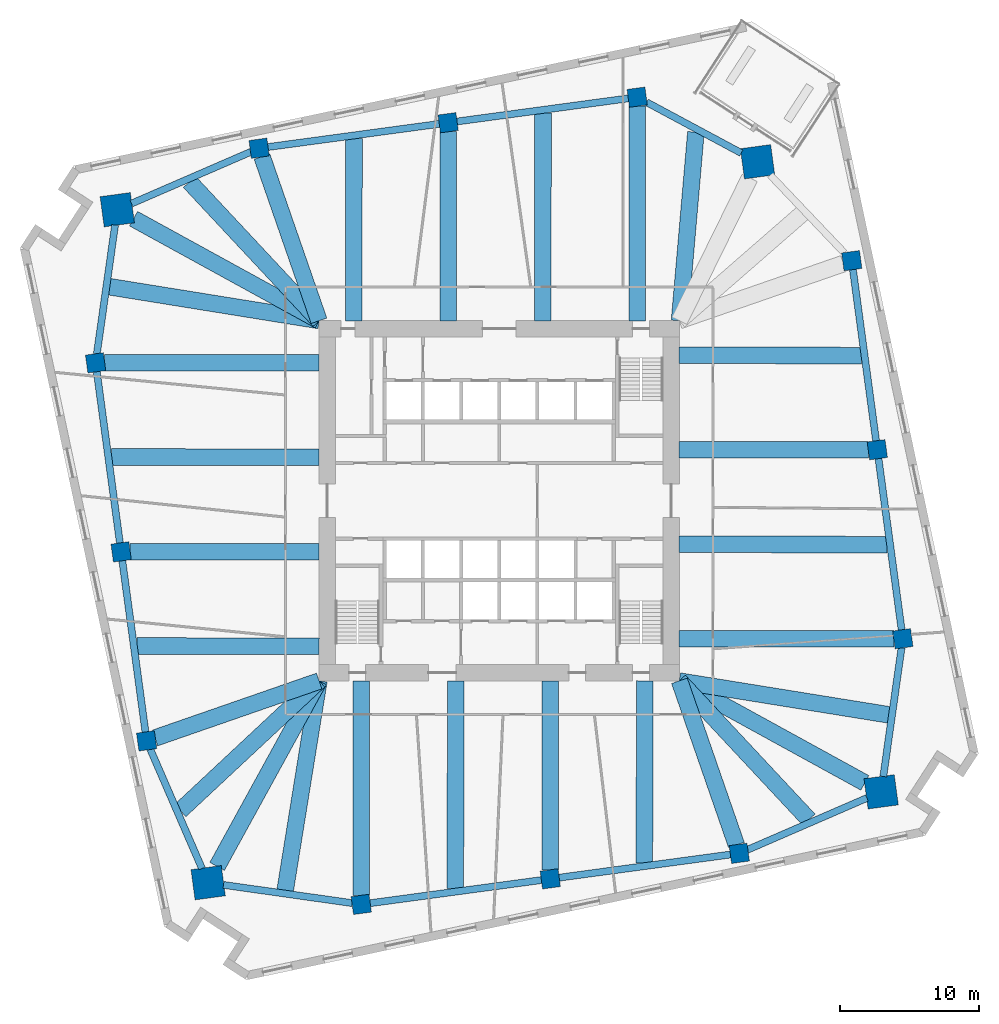
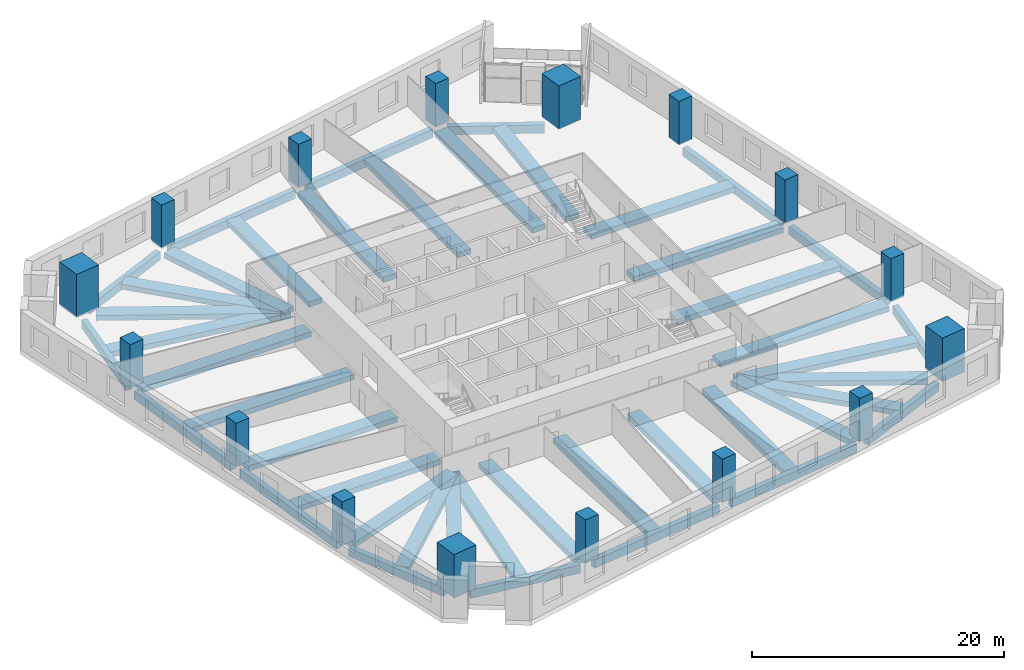
# One storey, part 1 of 10: 44 beams, 16 columns.
"""IFC4 building model written with IfcOpenShell, lengths in metres."""

import ifcopenshell
import ifcopenshell.guid

model = None  # the IFC model being written
_history = None  # IfcOwnerHistory: only IFC2X3 demands one
_inside = {}  # id of a spatial element -> (the spatial element, [elements in it])
_under = {}  # id of a project, library or spatial element -> (it, [spatial elements below it])
_declared = {}  # id of a project -> (the project, [libraries it declares])
_typed = {}  # id of a type object -> (the type object, [elements of that type])
_made_of = {}  # id of a material, layer set ... -> (it, [elements and type objects made of it])


def new_model(schema):
    """Start an empty IFC model of exactly this schema.

    Asked for "IFC4X3", IfcOpenShell would pick the latest addendum, in which some entities
    have other attributes; the version numbers below select the first issue.
    IFC2X3 requires an IfcOwnerHistory on every rooted entity: one is made here for all.
    """
    global model, _history
    if schema == "IFC4X3":
        model = ifcopenshell.file(schema_version=(4, 3, 0, 0))
    else:
        model = ifcopenshell.file(schema=schema)
    _inside.clear()
    _under.clear()
    _declared.clear()
    _typed.clear()
    _made_of.clear()
    _history = None
    if model.schema == "IFC2X3":
        org = make("IfcOrganization", Name="unknown")
        user = make(
            "IfcPersonAndOrganization",
            ThePerson=make("IfcPerson", FamilyName="unknown"),
            TheOrganization=org,
        )
        app = make(
            "IfcApplication",
            ApplicationDeveloper=org,
            Version="unknown",
            ApplicationFullName="unknown",
            ApplicationIdentifier="unknown",
        )
        _history = make(
            "IfcOwnerHistory",
            OwningUser=user,
            OwningApplication=app,
            ChangeAction="ADDED",
            CreationDate=0,
        )
    return model


def make(cls, **values):
    """One entity of the class cls with the attributes given. An attribute that is None is left unset."""
    return model.create_entity(
        cls, **{name: value for name, value in values.items() if value is not None}
    )


def rooted(cls, **values):
    """An entity with a GlobalId (a new one), such as an element, a storey or a relation."""
    return make(cls, GlobalId=ifcopenshell.guid.new(), OwnerHistory=_history, **values)


def si_unit(unit_type, name, prefix=None):
    """IfcSIUnit, for example si_unit("LENGTHUNIT", "METRE", prefix="MILLI")."""
    return make("IfcSIUnit", UnitType=unit_type, Prefix=prefix, Name=name)


def assignment(units):
    """IfcUnitAssignment: the units of a project."""
    return None if units is None else make("IfcUnitAssignment", Units=units)


def point(xyz):
    """IfcCartesianPoint."""
    return None if xyz is None else make("IfcCartesianPoint", Coordinates=xyz)


def direction(xyz):
    """IfcDirection."""
    return None if xyz is None else make("IfcDirection", DirectionRatios=xyz)


def frame(location, z_axis=None, x_axis=None):
    """IfcAxis2Placement3D, a coordinate frame: its origin and axes. An axis left out is left unset."""
    return make(
        "IfcAxis2Placement3D",
        Location=point(location),
        Axis=direction(z_axis),
        RefDirection=direction(x_axis),
    )


def frame_2d(location, x_axis=None):
    """IfcAxis2Placement2D, a coordinate frame in the plane: its origin and x axis."""
    return make(
        "IfcAxis2Placement2D", Location=point(location), RefDirection=direction(x_axis)
    )


def origin():
    """The frame at (0, 0, 0) with its axes left unset."""
    return frame((0.0, 0.0, 0.0))


def origin_2d():
    """The frame at (0, 0) in the plane with its x axis left unset."""
    return frame_2d((0.0, 0.0))


def place(relative_to, where):
    """IfcLocalPlacement: puts the frame where relative to a parent placement (None: the world)."""
    return make(
        "IfcLocalPlacement", PlacementRelTo=relative_to, RelativePlacement=where
    )


def context(
    kind, dimensions, precision=None, world=None, true_north=None, identifier=None
):
    """IfcGeometricRepresentationContext, for example the 3D "Model" context."""
    return make(
        "IfcGeometricRepresentationContext",
        ContextIdentifier=identifier,
        ContextType=kind,
        CoordinateSpaceDimension=dimensions,
        Precision=precision,
        WorldCoordinateSystem=world,
        TrueNorth=true_north,
    )


def subcontext(parent, identifier, kind, view, scale=None):
    """IfcGeometricRepresentationSubContext, for example "Body" below "Model"."""
    return make(
        "IfcGeometricRepresentationSubContext",
        ContextIdentifier=identifier,
        ContextType=kind,
        ParentContext=parent,
        TargetScale=scale,
        TargetView=view,
    )


def project(units=None, contexts=None):
    """IfcProject with its units and contexts."""
    return rooted(
        "IfcProject",
        Name="project",
        RepresentationContexts=contexts,
        UnitsInContext=assignment(units),
    )


def spatial(cls, under=None, at=None, **own):
    """A site, building, storey or space (cls), placed at a placement, below another one or the project."""
    s = rooted(cls, ObjectPlacement=at, **own)
    if under is not None:
        _under.setdefault(under.id(), (under, []))[1].append(s)
    return s


def profile(cls, at=None, kind="AREA", **sizes):
    """A parametric profile (cls). Its sizes go by their IFC names, for example OverallWidth=200.0."""
    return make(cls, ProfileType=kind, Position=at, **sizes)


def rectangle(**sizes):
    """IfcRectangleProfileDef."""
    return profile("IfcRectangleProfileDef", **sizes)


def extrude(swept, where, along, depth):
    """IfcExtrudedAreaSolid: the profile swept, set in the frame where, extruded along a direction by depth."""
    return make(
        "IfcExtrudedAreaSolid",
        SweptArea=swept,
        Position=where,
        ExtrudedDirection=direction(along),
        Depth=depth,
    )


def shape(context_of_items, identifier, shape_type, items):
    """IfcShapeRepresentation: the items that make up one representation, for example the "Body"."""
    return make(
        "IfcShapeRepresentation",
        ContextOfItems=context_of_items,
        RepresentationIdentifier=identifier,
        RepresentationType=shape_type,
        Items=items,
    )


def material(Name=None, Category=None):
    """IfcMaterial."""
    return make("IfcMaterial", Name=Name, Category=Category)


def material_profile(
    of_material, cross_section, Name=None, Category=None, Priority=None
):
    """IfcMaterialProfile: a cross section and its material."""
    return make(
        "IfcMaterialProfile",
        Name=Name,
        Material=of_material,
        Profile=cross_section,
        Priority=Priority,
        Category=Category,
    )


def profile_set(profiles, Name=None, composite=None):
    """IfcMaterialProfileSet."""
    return make(
        "IfcMaterialProfileSet",
        Name=Name,
        MaterialProfiles=profiles,
        CompositeProfile=composite,
    )


def made_of(thing, what):
    """Note that an element or type object is made of a material, layer set ...; save() writes the relation."""
    if what is not None:
        _made_of.setdefault(what.id(), (what, []))[1].append(thing)
    return thing


def type_object(cls, material=None, **own):
    """A type object (cls), such as IfcWallType, which elements share."""
    return made_of(rooted(cls, **own), material)


def element(
    cls,
    number,
    at=None,
    inside=None,
    cuts=None,
    type_object=None,
    material=None,
    context=None,
    identifier="Body",
    shape_type=None,
    held_by="IfcProductDefinitionShape",
    body=None,
    shapes=None,
    **own,
):
    """One element of the class cls, such as IfcWall. Its Tag is "e" and its number.

    at: its placement. inside: the storey or other place that contains it. cuts: it is an
    opening in that element (IfcRelVoidsElement). A single representation is given by context,
    identifier, shape_type and body (its items); several are given by shapes. held_by: the class
    of the entity that holds the representations. save() writes the other relations.
    """
    e = rooted(cls, Tag="e%d" % number, ObjectPlacement=at, **own)
    if body is not None:
        shapes = [shape(context, identifier, shape_type, body)]
    if shapes is not None:
        e.Representation = make(held_by, Representations=shapes)
    if inside is not None:
        _inside.setdefault(inside.id(), (inside, []))[1].append(e)
    if cuts is not None:
        rooted(
            "IfcRelVoidsElement", RelatingBuildingElement=cuts, RelatedOpeningElement=e
        )
    if type_object is not None:
        _typed.setdefault(type_object.id(), (type_object, []))[1].append(e)
    return made_of(e, material)


def aggregate(whole, parts):
    """IfcRelAggregates: a whole, such as a stair, and the parts it consists of."""
    return rooted("IfcRelAggregates", RelatingObject=whole, RelatedObjects=parts)


def save(model, path):
    """Write the relations noted so far, then the file.

    IfcRelAggregates (storeys below a building ...), IfcRelContainedInSpatialStructure (elements
    in a storey), IfcRelDefinesByType, IfcRelAssociatesMaterial and IfcRelDeclares: one each for
    every whole, place, type object, material and project.
    """
    for whole, parts in _under.values():
        aggregate(whole, parts)
    for where, things in _inside.values():
        rooted(
            "IfcRelContainedInSpatialStructure",
            RelatedElements=things,
            RelatingStructure=where,
        )
    for kind, things in _typed.values():
        rooted("IfcRelDefinesByType", RelatedObjects=things, RelatingType=kind)
    for what, things in _made_of.values():
        rooted("IfcRelAssociatesMaterial", RelatedObjects=things, RelatingMaterial=what)
    for by, libraries in _declared.values():
        rooted("IfcRelDeclares", RelatingContext=by, RelatedDefinitions=libraries)
    model.write(path)


model = new_model("IFC4")

# Units and contexts
model_context = context("Model", 3, precision=1e-05, world=origin(), true_north=direction((0.0, 1.0)))
body_context = subcontext(model_context, "Body", "Model", "MODEL_VIEW")
ifc_project = project(units=[si_unit("LENGTHUNIT", "METRE"), si_unit("AREAUNIT", "SQUARE_METRE"), si_unit("VOLUMEUNIT", "CUBIC_METRE"), si_unit("PLANEANGLEUNIT", "RADIAN"), si_unit("MASSUNIT", "GRAM", prefix="KILO")], contexts=[model_context])

# Site, building, storey
site_placement = place(None, origin())
site = spatial("IfcSite", under=ifc_project, at=site_placement, CompositionType="ELEMENT")
building_placement = place(site_placement, origin())
building = spatial("IfcBuilding", under=site, at=building_placement, Name="Dilmun Exchange Tower", CompositionType="ELEMENT")
storey_placement = place(building_placement, frame((0.0, 0.0, 72.300048828125)))
storey = spatial("IfcBuildingStorey", under=building, at=storey_placement, Name="L16", CompositionType="ELEMENT", Elevation=72.300048828125)

# Columns
ifc_material_1 = material(Name="Concrete C80/95", Category="concrete")
ifc_material_profile_1 = material_profile(ifc_material_1, rectangle(XDim=2.199951171875, YDim=2.199951171875, at=origin_2d()), Name="2200 x 2200")
ifc_profile_set_1 = profile_set([ifc_material_profile_1], Name="Concrete C80/95")
column_type_1 = type_object("IfcColumnType", Name="RC mega column 2200 x 2200 C80/95", PredefinedType="COLUMN", material=ifc_profile_set_1)
for number, where, z_axis, x_axis, name in (
    (1, (18.6220703125, 24.43701171875, 0.0), (0.0, 0.0, 1.0), (0.991001197216, 0.133853005627, 0.0), "Mega column M1"),
    (2, (-27.531005859375, 20.97900390625, 0.0), (0.0, 0.0, 1.0), (0.991001197216, 0.133853005627, 0.0), "Mega column M2"),
    (3, (-20.97900390625, -27.531005859375, 0.0), (0.0, 0.0, 1.0), (0.991001197216, 0.133853005627, 0.0), "Mega column M3"),
    (4, (27.531005859375, -20.97900390625, 0.0), (0.0, 0.0, 1.0), (0.991001197216, 0.133853005627, 0.0), "Mega column M4"),
):
    element("IfcColumn", number, at=place(storey_placement, frame(where, z_axis=z_axis, x_axis=x_axis)), inside=storey, type_object=column_type_1, Name=name, PredefinedType="COLUMN", context=body_context, shape_type="SweptSolid", body=[
        extrude(rectangle(XDim=2.199951171875, YDim=2.199951171875, at=origin_2d()), origin(), (0.0, 0.0, 1.0), 4.199951171875),
    ])
ifc_material_profile_2 = material_profile(ifc_material_1, rectangle(XDim=1.300048828125, YDim=1.300048828125, at=origin_2d()), Name="1300 x 1300")
ifc_profile_set_2 = profile_set([ifc_material_profile_2], Name="Concrete C80/95")
column_type_2 = type_object("IfcColumnType", Name="RC ring column 1300 x 1300 C80/95", PredefinedType="COLUMN", material=ifc_profile_set_2)
for number, where, z_axis, x_axis, name in (
    (5, (9.945068359375, 29.093017578125, 0.0), (0.0, 0.0, 1.0), (0.991001197216, 0.133853005627, 0.0), "Ring column R01"),
    (6, (-3.680908203125, 27.2529296875, 0.0), (0.0, 0.0, 1.0), (0.991001197216, 0.133853005627, 0.0), "Ring column R02"),
    (7, (-17.306884765625, 25.412109375, 0.0), (0.0, 0.0, 1.0), (0.991001197216, 0.133853005627, 0.0), "Ring column R03"),
    (8, (-29.093017578125, 9.945068359375, 0.0), (0.0, 0.0, 1.0), (0.991001197216, 0.133853005627, 0.0), "Ring column R04"),
    (9, (-27.2529296875, -3.680908203125, 0.0), (0.0, 0.0, 1.0), (0.991001197216, 0.133853005627, 0.0), "Ring column R05"),
    (10, (-25.412109375, -17.306884765625, 0.0), (0.0, 0.0, 1.0), (0.991001197216, 0.133853005627, 0.0), "Ring column R06"),
    (11, (-9.945068359375, -29.093017578125, 0.0), (0.0, 0.0, 1.0), (0.991001197216, 0.133853005627, 0.0), "Ring column R07"),
    (12, (3.680908203125, -27.2529296875, 0.0), (0.0, 0.0, 1.0), (0.991001197216, 0.133853005627, 0.0), "Ring column R08"),
    (13, (17.306884765625, -25.412109375, 0.0), (0.0, 0.0, 1.0), (0.991001197216, 0.133853005627, 0.0), "Ring column R09"),
    (14, (29.093017578125, -9.945068359375, 0.0), (0.0, 0.0, 1.0), (0.991001197216, 0.133853005627, 0.0), "Ring column R10"),
    (15, (27.2529296875, 3.680908203125, 0.0), (0.0, 0.0, 1.0), (0.991001197216, 0.133853005627, 0.0), "Ring column R11"),
    (16, (25.412109375, 17.306884765625, 0.0), (0.0, 0.0, 1.0), (0.991001197216, 0.133853005627, 0.0), "Ring column R12"),
):
    element("IfcColumn", number, at=place(storey_placement, frame(where, z_axis=z_axis, x_axis=x_axis)), inside=storey, type_object=column_type_2, Name=name, PredefinedType="COLUMN", context=body_context, shape_type="SweptSolid", body=[
        extrude(rectangle(XDim=1.300048828125, YDim=1.300048828125, at=origin_2d()), origin(), (0.0, 0.0, 1.0), 4.199951171875),
    ])

# Beams
ifc_material_2 = material(Name="Concrete C40/50", Category="concrete")
ifc_material_profile_3 = material_profile(ifc_material_2, rectangle(XDim=1.199951171875, YDim=0.5, at=origin_2d()), Name="1200 x 500")
ifc_profile_set_3 = profile_set([ifc_material_profile_3], Name="Concrete C40/50")
beam_type_1 = type_object("IfcBeamType", Name="RC band beam 1200 x 500 C40/50", PredefinedType="BEAM", material=ifc_profile_set_3)
beam_1_placement = place(storey_placement, frame((9.945068359375, 28.464111328125, -0.699951171875), z_axis=(0.0, -1.0, 0.0), x_axis=(1.0, 0.0, 0.0)))
element("IfcBeam", 17, at=beam_1_placement, inside=storey, type_object=beam_type_1, Name="Band beam 2", PredefinedType="BEAM", context=body_context, shape_type="SweptSolid", body=[
    extrude(rectangle(XDim=1.199951171875, YDim=0.5, at=origin_2d()), origin(), (0.0, 0.0, 1.0), 15.4912109375),
])
beam_2_placement = place(storey_placement, frame((-3.680908203125, 26.6240234375, -0.699951171875), z_axis=(0.0, -1.0, 0.0), x_axis=(1.0, 0.0, 0.0)))
element("IfcBeam", 18, at=beam_2_placement, inside=storey, type_object=beam_type_1, Name="Band beam 3", PredefinedType="BEAM", context=body_context, shape_type="SweptSolid", body=[
    extrude(rectangle(XDim=1.199951171875, YDim=0.5, at=origin_2d()), origin(), (0.0, 0.0, 1.0), 13.651123046875),
])
beam_3_placement = place(storey_placement, frame((-17.098388671875, 24.81103515625, -0.699951171875), z_axis=(0.327819910959, -0.94474023201, 0.0), x_axis=(0.94474023201, 0.327819910959, 0.0)))
element("IfcBeam", 19, at=beam_3_placement, inside=storey, type_object=beam_type_1, Name="Band beam 4", PredefinedType="BEAM", context=body_context, shape_type="SweptSolid", body=[
    extrude(rectangle(XDim=1.199951171875, YDim=0.5, at=origin_2d()), origin(), (0.0, 0.0, 1.0), 12.52880859375),
])
beam_4_placement = place(storey_placement, frame((-26.355712890625, 20.333740234375, -0.699951171875), z_axis=(0.876547324806, -0.481315683699, 0.0), x_axis=(0.481315683699, 0.876547324806, 0.0)))
element("IfcBeam", 20, at=beam_4_placement, inside=storey, type_object=beam_type_1, Name="Band beam 5", PredefinedType="BEAM", context=body_context, shape_type="SweptSolid", body=[
    extrude(rectangle(XDim=1.199951171875, YDim=0.5, at=origin_2d()), origin(), (0.0, 0.0, 1.0), 15.263671875),
])
beam_5_placement = place(storey_placement, frame((-28.464111328125, 9.945068359375, -0.699951171875), z_axis=(1.0, 0.0, 0.0), x_axis=(0.0, 1.0, 0.0)))
element("IfcBeam", 21, at=beam_5_placement, inside=storey, type_object=beam_type_1, Name="Band beam 6", PredefinedType="BEAM", context=body_context, shape_type="SweptSolid", body=[
    extrude(rectangle(XDim=1.199951171875, YDim=0.5, at=origin_2d()), origin(), (0.0, 0.0, 1.0), 15.4912109375),
])
beam_6_placement = place(storey_placement, frame((-26.6240234375, -3.680908203125, -0.699951171875), z_axis=(1.0, 0.0, 0.0), x_axis=(0.0, 1.0, 0.0)))
element("IfcBeam", 22, at=beam_6_placement, inside=storey, type_object=beam_type_1, Name="Band beam 7", PredefinedType="BEAM", context=body_context, shape_type="SweptSolid", body=[
    extrude(rectangle(XDim=1.199951171875, YDim=0.5, at=origin_2d()), origin(), (0.0, 0.0, 1.0), 13.651123046875),
])
beam_7_placement = place(storey_placement, frame((-24.81103515625, -17.098388671875, -0.699951171875), z_axis=(0.94474023201, 0.327819910959, 0.0), x_axis=(-0.327819910959, 0.94474023201, 0.0)))
element("IfcBeam", 23, at=beam_7_placement, inside=storey, type_object=beam_type_1, Name="Band beam 8", PredefinedType="BEAM", context=body_context, shape_type="SweptSolid", body=[
    extrude(rectangle(XDim=1.199951171875, YDim=0.5, at=origin_2d()), origin(), (0.0, 0.0, 1.0), 12.52880859375),
])
beam_8_placement = place(storey_placement, frame((-20.333740234375, -26.355712890625, -0.699951171875), z_axis=(0.481315683699, 0.876547324806, 0.0), x_axis=(-0.876547324806, 0.481315683699, 0.0)))
element("IfcBeam", 24, at=beam_8_placement, inside=storey, type_object=beam_type_1, Name="Band beam 9", PredefinedType="BEAM", context=body_context, shape_type="SweptSolid", body=[
    extrude(rectangle(XDim=1.199951171875, YDim=0.5, at=origin_2d()), origin(), (0.0, 0.0, 1.0), 15.263671875),
])
beam_9_placement = place(storey_placement, frame((-9.945068359375, -28.464111328125, -0.699951171875), z_axis=(0.0, 1.0, 0.0), x_axis=(-1.0, 0.0, 0.0)))
element("IfcBeam", 25, at=beam_9_placement, inside=storey, type_object=beam_type_1, Name="Band beam 10", PredefinedType="BEAM", context=body_context, shape_type="SweptSolid", body=[
    extrude(rectangle(XDim=1.199951171875, YDim=0.5, at=origin_2d()), origin(), (0.0, 0.0, 1.0), 15.4912109375),
])
beam_10_placement = place(storey_placement, frame((3.680908203125, -26.6240234375, -0.699951171875), z_axis=(0.0, 1.0, 0.0), x_axis=(-1.0, 0.0, 0.0)))
element("IfcBeam", 26, at=beam_10_placement, inside=storey, type_object=beam_type_1, Name="Band beam 11", PredefinedType="BEAM", context=body_context, shape_type="SweptSolid", body=[
    extrude(rectangle(XDim=1.199951171875, YDim=0.5, at=origin_2d()), origin(), (0.0, 0.0, 1.0), 13.651123046875),
])
beam_11_placement = place(storey_placement, frame((17.098388671875, -24.81103515625, -0.699951171875), z_axis=(-0.327819910959, 0.94474023201, 0.0), x_axis=(-0.94474023201, -0.327819910959, 0.0)))
element("IfcBeam", 27, at=beam_11_placement, inside=storey, type_object=beam_type_1, Name="Band beam 12", PredefinedType="BEAM", context=body_context, shape_type="SweptSolid", body=[
    extrude(rectangle(XDim=1.199951171875, YDim=0.5, at=origin_2d()), origin(), (0.0, 0.0, 1.0), 12.52880859375),
])
beam_12_placement = place(storey_placement, frame((26.355712890625, -20.333740234375, -0.699951171875), z_axis=(-0.876547324806, 0.481315683699, 0.0), x_axis=(-0.481315683699, -0.876547324806, 0.0)))
element("IfcBeam", 28, at=beam_12_placement, inside=storey, type_object=beam_type_1, Name="Band beam 13", PredefinedType="BEAM", context=body_context, shape_type="SweptSolid", body=[
    extrude(rectangle(XDim=1.199951171875, YDim=0.5, at=origin_2d()), origin(), (0.0, 0.0, 1.0), 15.263671875),
])
beam_13_placement = place(storey_placement, frame((28.464111328125, -9.945068359375, -0.699951171875), z_axis=(-1.0, 0.0, 0.0), x_axis=(0.0, -1.0, 0.0)))
element("IfcBeam", 29, at=beam_13_placement, inside=storey, type_object=beam_type_1, Name="Band beam 14", PredefinedType="BEAM", context=body_context, shape_type="SweptSolid", body=[
    extrude(rectangle(XDim=1.199951171875, YDim=0.5, at=origin_2d()), origin(), (0.0, 0.0, 1.0), 15.4912109375),
])
beam_14_placement = place(storey_placement, frame((26.6240234375, 3.680908203125, -0.699951171875), z_axis=(-1.0, 0.0, 0.0), x_axis=(0.0, -1.0, 0.0)))
element("IfcBeam", 30, at=beam_14_placement, inside=storey, type_object=beam_type_1, Name="Band beam 15", PredefinedType="BEAM", context=body_context, shape_type="SweptSolid", body=[
    extrude(rectangle(XDim=1.199951171875, YDim=0.5, at=origin_2d()), origin(), (0.0, 0.0, 1.0), 13.651123046875),
])
beam_15_placement = place(storey_placement, frame((14.177978515625, 26.568603515625, -0.699951171875), z_axis=(-0.086499148019, -0.996251924662, 0.0), x_axis=(0.996251924662, -0.086499148019, 0.0)))
element("IfcBeam", 31, at=beam_15_placement, inside=storey, type_object=beam_type_1, Name="Band beam 17", PredefinedType="BEAM", context=body_context, shape_type="SweptSolid", body=[
    extrude(rectangle(XDim=1.199951171875, YDim=0.5, at=origin_2d()), origin(), (0.0, 0.0, 1.0), 13.646728515625),
])
beam_16_placement = place(storey_placement, frame((3.161865234375, 27.951904296875, -0.699951171875), z_axis=(-0.001988456479, -0.999998023018, 0.0), x_axis=(0.999998023018, -0.001988456479, 0.0)))
element("IfcBeam", 32, at=beam_16_placement, inside=storey, type_object=beam_type_1, Name="Band beam 18", PredefinedType="BEAM", context=body_context, shape_type="SweptSolid", body=[
    extrude(rectangle(XDim=1.199951171875, YDim=0.5, at=origin_2d()), origin(), (0.0, 0.0, 1.0), 14.97900390625),
])
beam_17_placement = place(storey_placement, frame((-10.464111328125, 26.111572265625, -0.699951171875), z_axis=(-0.002266977971, -0.999997430402, 0.0), x_axis=(0.999997430402, -0.002266977971, 0.0)))
element("IfcBeam", 33, at=beam_17_placement, inside=storey, type_object=beam_type_1, Name="Band beam 19", PredefinedType="BEAM", context=body_context, shape_type="SweptSolid", body=[
    extrude(rectangle(XDim=1.199951171875, YDim=0.5, at=origin_2d()), origin(), (0.0, 0.0, 1.0), 13.138671875),
])
beam_18_placement = place(storey_placement, frame((-22.330322265625, 22.990966796875, -0.699951171875), z_axis=(0.682523984798, -0.730863195253, 0.0), x_axis=(0.730863195253, 0.682523984798, 0.0)))
element("IfcBeam", 34, at=beam_18_placement, inside=storey, type_object=beam_type_1, Name="Band beam 20", PredefinedType="BEAM", context=body_context, shape_type="SweptSolid", body=[
    extrude(rectangle(XDim=1.199951171875, YDim=0.5, at=origin_2d()), origin(), (0.0, 0.0, 1.0), 13.697265625),
])
beam_19_placement = place(storey_placement, frame((-28.09130859375, 15.4306640625, -0.699951171875), z_axis=(0.98727513595, -0.159021400868, 0.0), x_axis=(0.159021400868, 0.98727513595, 0.0)))
element("IfcBeam", 35, at=beam_19_placement, inside=storey, type_object=beam_type_1, Name="Band beam 21", PredefinedType="BEAM", context=body_context, shape_type="SweptSolid", body=[
    extrude(rectangle(XDim=1.199951171875, YDim=0.5, at=origin_2d()), origin(), (0.0, 0.0, 1.0), 15.312744140625),
])
beam_20_placement = place(storey_placement, frame((-27.951904296875, 3.161865234375, -0.699951171875), z_axis=(0.999998023018, -0.001988456479, 0.0), x_axis=(0.001988456479, 0.999998023018, 0.0)))
element("IfcBeam", 36, at=beam_20_placement, inside=storey, type_object=beam_type_1, Name="Band beam 22", PredefinedType="BEAM", context=body_context, shape_type="SweptSolid", body=[
    extrude(rectangle(XDim=1.199951171875, YDim=0.5, at=origin_2d()), origin(), (0.0, 0.0, 1.0), 14.97900390625),
])
beam_21_placement = place(storey_placement, frame((-26.111572265625, -10.464111328125, -0.699951171875), z_axis=(0.999997430402, -0.002266977971, 0.0), x_axis=(0.002266977971, 0.999997430402, 0.0)))
element("IfcBeam", 37, at=beam_21_placement, inside=storey, type_object=beam_type_1, Name="Band beam 23", PredefinedType="BEAM", context=body_context, shape_type="SweptSolid", body=[
    extrude(rectangle(XDim=1.199951171875, YDim=0.5, at=origin_2d()), origin(), (0.0, 0.0, 1.0), 13.138671875),
])
beam_22_placement = place(storey_placement, frame((-22.990966796875, -22.330322265625, -0.699951171875), z_axis=(0.730863195253, 0.682523984798, 0.0), x_axis=(-0.682523984798, 0.730863195253, 0.0)))
element("IfcBeam", 38, at=beam_22_placement, inside=storey, type_object=beam_type_1, Name="Band beam 24", PredefinedType="BEAM", context=body_context, shape_type="SweptSolid", body=[
    extrude(rectangle(XDim=1.199951171875, YDim=0.5, at=origin_2d()), origin(), (0.0, 0.0, 1.0), 13.697265625),
])
beam_23_placement = place(storey_placement, frame((-15.4306640625, -28.09130859375, -0.699951171875), z_axis=(0.159021400868, 0.98727513595, 0.0), x_axis=(-0.98727513595, 0.159021400868, 0.0)))
element("IfcBeam", 39, at=beam_23_placement, inside=storey, type_object=beam_type_1, Name="Band beam 25", PredefinedType="BEAM", context=body_context, shape_type="SweptSolid", body=[
    extrude(rectangle(XDim=1.199951171875, YDim=0.5, at=origin_2d()), origin(), (0.0, 0.0, 1.0), 15.312744140625),
])
beam_24_placement = place(storey_placement, frame((-3.161865234375, -27.951904296875, -0.699951171875), z_axis=(0.001988456479, 0.999998023018, 0.0), x_axis=(-0.999998023018, 0.001988456479, 0.0)))
element("IfcBeam", 40, at=beam_24_placement, inside=storey, type_object=beam_type_1, Name="Band beam 26", PredefinedType="BEAM", context=body_context, shape_type="SweptSolid", body=[
    extrude(rectangle(XDim=1.199951171875, YDim=0.5, at=origin_2d()), origin(), (0.0, 0.0, 1.0), 14.97900390625),
])
beam_25_placement = place(storey_placement, frame((10.464111328125, -26.111572265625, -0.699951171875), z_axis=(0.002266977971, 0.999997430402, 0.0), x_axis=(-0.999997430402, 0.002266977971, 0.0)))
element("IfcBeam", 41, at=beam_25_placement, inside=storey, type_object=beam_type_1, Name="Band beam 27", PredefinedType="BEAM", context=body_context, shape_type="SweptSolid", body=[
    extrude(rectangle(XDim=1.199951171875, YDim=0.5, at=origin_2d()), origin(), (0.0, 0.0, 1.0), 13.138671875),
])
beam_26_placement = place(storey_placement, frame((22.330322265625, -22.990966796875, -0.699951171875), z_axis=(-0.682523984798, 0.730863195253, 0.0), x_axis=(-0.730863195253, -0.682523984798, 0.0)))
element("IfcBeam", 42, at=beam_26_placement, inside=storey, type_object=beam_type_1, Name="Band beam 28", PredefinedType="BEAM", context=body_context, shape_type="SweptSolid", body=[
    extrude(rectangle(XDim=1.199951171875, YDim=0.5, at=origin_2d()), origin(), (0.0, 0.0, 1.0), 13.697265625),
])
beam_27_placement = place(storey_placement, frame((28.09130859375, -15.4306640625, -0.699951171875), z_axis=(-0.98727513595, 0.159021400868, 0.0), x_axis=(-0.159021400868, -0.98727513595, 0.0)))
element("IfcBeam", 43, at=beam_27_placement, inside=storey, type_object=beam_type_1, Name="Band beam 29", PredefinedType="BEAM", context=body_context, shape_type="SweptSolid", body=[
    extrude(rectangle(XDim=1.199951171875, YDim=0.5, at=origin_2d()), origin(), (0.0, 0.0, 1.0), 15.312744140625),
])
beam_28_placement = place(storey_placement, frame((27.951904296875, -3.161865234375, -0.699951171875), z_axis=(-0.999998023018, 0.001988456479, 0.0), x_axis=(-0.001988456479, -0.999998023018, 0.0)))
element("IfcBeam", 44, at=beam_28_placement, inside=storey, type_object=beam_type_1, Name="Band beam 30", PredefinedType="BEAM", context=body_context, shape_type="SweptSolid", body=[
    extrude(rectangle(XDim=1.199951171875, YDim=0.5, at=origin_2d()), origin(), (0.0, 0.0, 1.0), 14.97900390625),
])
beam_29_placement = place(storey_placement, frame((26.111572265625, 10.464111328125, -0.699951171875), z_axis=(-0.999997430402, 0.002266977971, 0.0), x_axis=(-0.002266977971, -0.999997430402, 0.0)))
element("IfcBeam", 45, at=beam_29_placement, inside=storey, type_object=beam_type_1, Name="Band beam 31", PredefinedType="BEAM", context=body_context, shape_type="SweptSolid", body=[
    extrude(rectangle(XDim=1.199951171875, YDim=0.5, at=origin_2d()), origin(), (0.0, 0.0, 1.0), 13.138671875),
])
ifc_material_profile_4 = material_profile(ifc_material_2, rectangle(XDim=0.5, YDim=0.800048828125, at=origin_2d()), Name="500 x 800")
ifc_profile_set_4 = profile_set([ifc_material_profile_4], Name="Concrete C40/50")
beam_type_2 = type_object("IfcBeamType", Name="RC ring beam 500 x 800 C40/50", PredefinedType="SPANDREL", material=ifc_profile_set_4)
beam_30_placement = place(storey_placement, frame((17.44921875, 25.06640625, -0.85009765625), z_axis=(-0.881161870548, 0.472814718354, 0.0), x_axis=(-0.472814718354, -0.881161870548, 0.0)))
element("IfcBeam", 46, at=beam_30_placement, inside=storey, type_object=beam_type_2, Name="Ring beam 1", PredefinedType="SPANDREL", context=body_context, shape_type="SweptSolid", body=[
    extrude(rectangle(XDim=0.5, YDim=0.800048828125, at=origin_2d()), origin(), (0.0, 0.0, 1.0), 7.74072265625),
])
for number, where, z_axis, x_axis, name in (
    (47, (9.32763671875, 29.009521484375, -0.85009765625), (-0.991007411355, -0.133806990248, 0.0), (0.133806990248, -0.991007411355, 0.0), "Ring beam 2"),
    (48, (-4.29833984375, 27.169677734375, -0.85009765625), (-0.990994461239, -0.133902867012, 0.0), (0.133902867012, -0.990994461239, 0.0), "Ring beam 3"),
):
    element("IfcBeam", number, at=place(storey_placement, frame(where, z_axis=z_axis, x_axis=x_axis)), inside=storey, type_object=beam_type_2, Name=name, PredefinedType="SPANDREL", context=body_context, shape_type="SweptSolid", body=[
        extrude(rectangle(XDim=0.5, YDim=0.800048828125, at=origin_2d()), origin(), (0.0, 0.0, 1.0), 12.50390625),
    ])
beam_31_placement = place(storey_placement, frame((-17.90185546875, 25.154052734375, -0.85009765625), z_axis=(-0.917467286901, -0.397811233459, 0.0), x_axis=(0.397811233459, -0.917467286901, 0.0)))
element("IfcBeam", 49, at=beam_31_placement, inside=storey, type_object=beam_type_2, Name="Ring beam 4", PredefinedType="SPANDREL", context=body_context, shape_type="SweptSolid", body=[
    extrude(rectangle(XDim=0.5, YDim=0.800048828125, at=origin_2d()), origin(), (0.0, 0.0, 1.0), 9.37939453125),
])
beam_32_placement = place(storey_placement, frame((-27.6875, 19.8740234375, -0.85009765625), z_axis=(-0.140164060375, -0.990128292788, 0.0), x_axis=(0.990128292788, -0.140164060375, 0.0)))
element("IfcBeam", 50, at=beam_32_placement, inside=storey, type_object=beam_type_2, Name="Ring beam 5", PredefinedType="SPANDREL", context=body_context, shape_type="SweptSolid", body=[
    extrude(rectangle(XDim=0.5, YDim=0.800048828125, at=origin_2d()), origin(), (0.0, 0.0, 1.0), 9.379638671875),
])
for number, where, z_axis, x_axis, name in (
    (51, (-29.009521484375, 9.32763671875, -0.85009765625), (0.133806990248, -0.991007411355, 0.0), (0.991007411355, 0.133806990248, 0.0), "Ring beam 6"),
    (52, (-27.169677734375, -4.29833984375, -0.85009765625), (0.133902867012, -0.990994461239, 0.0), (0.990994461239, 0.133902867012, 0.0), "Ring beam 7"),
):
    element("IfcBeam", number, at=place(storey_placement, frame(where, z_axis=z_axis, x_axis=x_axis)), inside=storey, type_object=beam_type_2, Name=name, PredefinedType="SPANDREL", context=body_context, shape_type="SweptSolid", body=[
        extrude(rectangle(XDim=0.5, YDim=0.800048828125, at=origin_2d()), origin(), (0.0, 0.0, 1.0), 12.50390625),
    ])
beam_33_placement = place(storey_placement, frame((-25.154052734375, -17.90185546875, -0.85009765625), z_axis=(0.397811233459, -0.917467286901, 0.0), x_axis=(0.917467286901, 0.397811233459, 0.0)))
element("IfcBeam", 53, at=beam_33_placement, inside=storey, type_object=beam_type_2, Name="Ring beam 8", PredefinedType="SPANDREL", context=body_context, shape_type="SweptSolid", body=[
    extrude(rectangle(XDim=0.5, YDim=0.800048828125, at=origin_2d()), origin(), (0.0, 0.0, 1.0), 9.37939453125),
])
beam_34_placement = place(storey_placement, frame((-19.8740234375, -27.6875, -0.85009765625), z_axis=(0.990128292788, -0.140164060375, 0.0), x_axis=(0.140164060375, 0.990128292788, 0.0)))
element("IfcBeam", 54, at=beam_34_placement, inside=storey, type_object=beam_type_2, Name="Ring beam 9", PredefinedType="SPANDREL", context=body_context, shape_type="SweptSolid", body=[
    extrude(rectangle(XDim=0.5, YDim=0.800048828125, at=origin_2d()), origin(), (0.0, 0.0, 1.0), 9.379638671875),
])
for number, where, z_axis, x_axis, name in (
    (55, (-9.32763671875, -29.009521484375, -0.85009765625), (0.991007411355, 0.133806990248, 0.0), (-0.133806990248, 0.991007411355, 0.0), "Ring beam 10"),
    (56, (4.29833984375, -27.169677734375, -0.85009765625), (0.990994461239, 0.133902867012, 0.0), (-0.133902867012, 0.990994461239, 0.0), "Ring beam 11"),
):
    element("IfcBeam", number, at=place(storey_placement, frame(where, z_axis=z_axis, x_axis=x_axis)), inside=storey, type_object=beam_type_2, Name=name, PredefinedType="SPANDREL", context=body_context, shape_type="SweptSolid", body=[
        extrude(rectangle(XDim=0.5, YDim=0.800048828125, at=origin_2d()), origin(), (0.0, 0.0, 1.0), 12.50390625),
    ])
beam_35_placement = place(storey_placement, frame((17.90185546875, -25.154052734375, -0.85009765625), z_axis=(0.917467286901, 0.397811233459, 0.0), x_axis=(-0.397811233459, 0.917467286901, 0.0)))
element("IfcBeam", 57, at=beam_35_placement, inside=storey, type_object=beam_type_2, Name="Ring beam 12", PredefinedType="SPANDREL", context=body_context, shape_type="SweptSolid", body=[
    extrude(rectangle(XDim=0.5, YDim=0.800048828125, at=origin_2d()), origin(), (0.0, 0.0, 1.0), 9.37939453125),
])
beam_36_placement = place(storey_placement, frame((27.6875, -19.8740234375, -0.85009765625), z_axis=(0.140164060375, 0.990128292788, 0.0), x_axis=(-0.990128292788, 0.140164060375, 0.0)))
element("IfcBeam", 58, at=beam_36_placement, inside=storey, type_object=beam_type_2, Name="Ring beam 13", PredefinedType="SPANDREL", context=body_context, shape_type="SweptSolid", body=[
    extrude(rectangle(XDim=0.5, YDim=0.800048828125, at=origin_2d()), origin(), (0.0, 0.0, 1.0), 9.379638671875),
])
for number, where, z_axis, x_axis, name in (
    (59, (29.009521484375, -9.32763671875, -0.85009765625), (-0.133806990248, 0.991007411355, 0.0), (-0.991007411355, -0.133806990248, 0.0), "Ring beam 14"),
    (60, (27.169677734375, 4.29833984375, -0.85009765625), (-0.133902867012, 0.990994461239, 0.0), (-0.990994461239, -0.133902867012, 0.0), "Ring beam 15"),
):
    element("IfcBeam", number, at=place(storey_placement, frame(where, z_axis=z_axis, x_axis=x_axis)), inside=storey, type_object=beam_type_2, Name=name, PredefinedType="SPANDREL", context=body_context, shape_type="SweptSolid", body=[
        extrude(rectangle(XDim=0.5, YDim=0.800048828125, at=origin_2d()), origin(), (0.0, 0.0, 1.0), 12.50390625),
    ])

save(model, "model.ifc")
